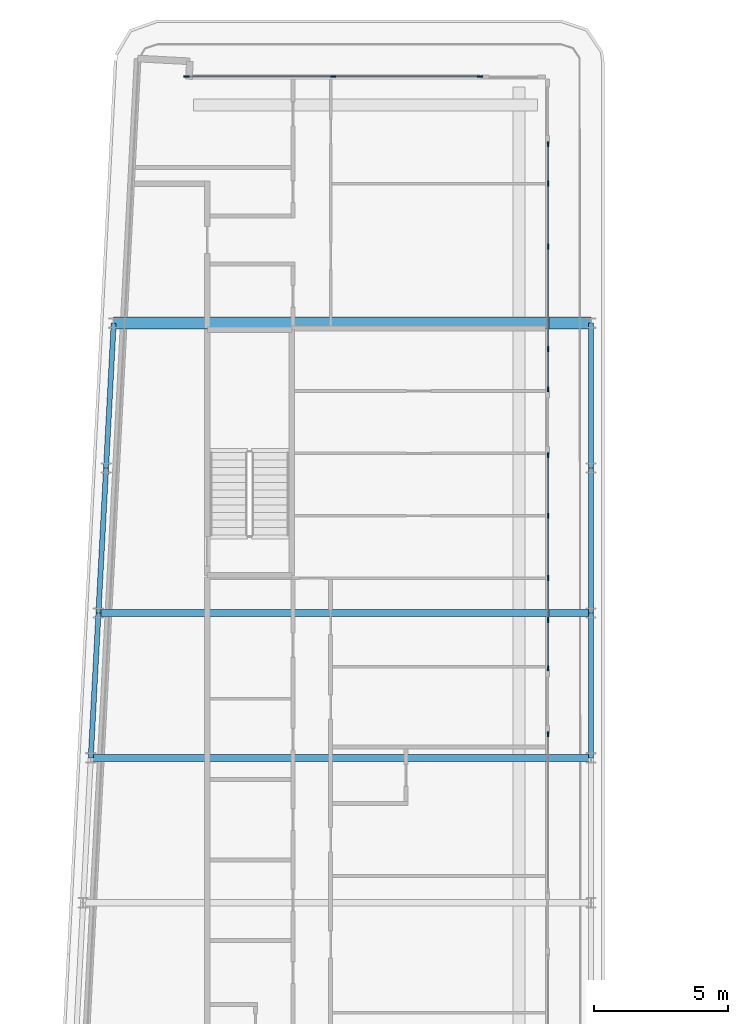
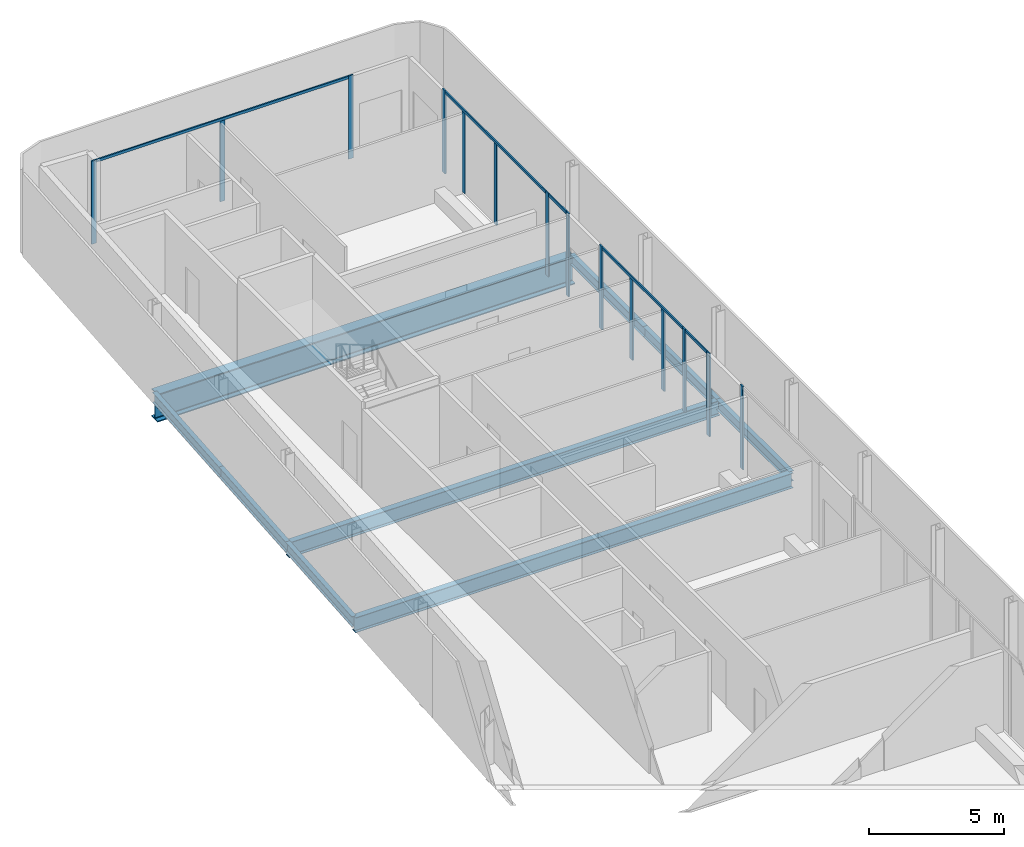
# One storey, part 6 of 18: 19 members, 9 beams, 6 elements without a shape of their own.
"""IFC4 building model written with IfcOpenShell, lengths in metres."""

from ifc_helpers import new_model, si_unit, direction, frame, origin, origin_2d, place, context, subcontext, project, spatial, rectangle, i_section, extrude, material, layer, layer_set, material_profile, profile_set, type_object, element, aggregate, save


model = new_model("IFC4")

# Units and contexts
model_context = context("Model", 3, precision=1e-05, world=origin(), true_north=direction((0.0, 1.0)))
body_context = subcontext(model_context, "Body", "Model", "MODEL_VIEW")
ifc_project = project(units=[si_unit("LENGTHUNIT", "METRE"), si_unit("AREAUNIT", "SQUARE_METRE"), si_unit("VOLUMEUNIT", "CUBIC_METRE"), si_unit("PLANEANGLEUNIT", "RADIAN"), si_unit("MASSUNIT", "GRAM", prefix="KILO")], contexts=[model_context])

# Site, building, storey
site_placement = place(None, origin())
site = spatial("IfcSite", under=ifc_project, at=site_placement, CompositionType="ELEMENT")
building_placement = place(site_placement, origin())
building = spatial("IfcBuilding", under=site, at=building_placement, Name="Kheshtan School and Residences Tower", CompositionType="ELEMENT")
storey_placement = place(building_placement, frame((0.0, 0.0, 381.199951171875)))
storey = spatial("IfcBuildingStorey", under=building, at=storey_placement, Name="L90", CompositionType="ELEMENT", Elevation=381.199951171875)

# Beams
ifc_material_1 = material(Name="Steel ASTM A992 Grade 50", Category="steel")
ifc_material_profile_1 = material_profile(ifc_material_1, i_section(OverallWidth=0.2529296875, OverallDepth=0.677978515625, WebThickness=0.01171875, FlangeThickness=0.016357421875, FilletRadius=0.0146484375, at=origin_2d()), Name="W690x125")
ifc_profile_set_1 = profile_set([ifc_material_profile_1], Name="Steel ASTM A992 Grade 50")
beam_type_1 = type_object("IfcBeamType", Name="Beam FB6 W690x125 ASTM A992 Grade 50", PredefinedType="BEAM", material=ifc_profile_set_1)
beam_1_placement = place(storey_placement, frame((47.60009765625, 78.0, -0.489013671875), z_axis=(-1.0, 0.0, 0.0), x_axis=(0.0, -1.0, 0.0)))
element("IfcBeam", 1, at=beam_1_placement, inside=storey, type_object=beam_type_1, Name="Floor beam C089", PredefinedType="BEAM", context=body_context, shape_type="SweptSolid", body=[
    extrude(i_section(OverallWidth=0.2529296875, OverallDepth=0.677978515625, WebThickness=0.01171875, FlangeThickness=0.016357421875, FilletRadius=0.0146484375, at=origin_2d()), origin(), (0.0, 0.0, 1.0), 18.357177734375),
])
beam_2_placement = place(storey_placement, frame((28.9580078125, 72.60009765625, -0.489013671875), z_axis=(1.0, 0.0, 0.0), x_axis=(0.0, 1.0, 0.0)))
element("IfcBeam", 2, at=beam_2_placement, inside=storey, type_object=beam_type_1, Name="Floor beam C086", PredefinedType="BEAM", context=body_context, shape_type="SweptSolid", body=[
    extrude(i_section(OverallWidth=0.2529296875, OverallDepth=0.677978515625, WebThickness=0.01171875, FlangeThickness=0.016357421875, FilletRadius=0.0146484375, at=origin_2d()), origin(), (0.0, 0.0, 1.0), 18.64208984375),
])
ifc_material_profile_2 = material_profile(ifc_material_1, i_section(OverallWidth=0.18994140625, OverallDepth=0.45703125, WebThickness=0.009033203125, FlangeThickness=0.014404296875, FilletRadius=0.01318359375, at=origin_2d()), Name="W460x74")
ifc_profile_set_2 = profile_set([ifc_material_profile_2], Name="Steel ASTM A992 Grade 50")
beam_type_2 = type_object("IfcBeamType", Name="Beam SP4 W460x74 ASTM A992 Grade 50", PredefinedType="BEAM", material=ifc_profile_set_2)
beam_3_placement = place(storey_placement, frame((47.60009765625, 88.800048828125, -0.37841796875), z_axis=(0.0, -1.0, 0.0), x_axis=(1.0, 0.0, 0.0)))
element("IfcBeam", 3, at=beam_3_placement, inside=storey, type_object=beam_type_2, Name="Spandrel beam C099-C091", PredefinedType="BEAM", context=body_context, shape_type="SweptSolid", body=[
    extrude(i_section(OverallWidth=0.18994140625, OverallDepth=0.45703125, WebThickness=0.009033203125, FlangeThickness=0.014404296875, FilletRadius=0.01318359375, at=origin_2d()), origin(), (0.0, 0.0, 1.0), 5.400146484375),
])
for number, where, z_axis, x_axis, name in (
    (4, (47.60009765625, 83.39990234375, -0.37841796875), (0.0, -1.0, 0.0), (1.0, 0.0, 0.0), "Spandrel beam C091-C089"),
    (5, (47.60009765625, 78.0, -0.37841796875), (0.0, -1.0, 0.0), (1.0, 0.0, 0.0), "Spandrel beam C089-C087"),
):
    element("IfcBeam", number, at=place(storey_placement, frame(where, z_axis=z_axis, x_axis=x_axis)), inside=storey, type_object=beam_type_2, Name=name, PredefinedType="BEAM", context=body_context, shape_type="SweptSolid", body=[
        extrude(i_section(OverallWidth=0.18994140625, OverallDepth=0.45703125, WebThickness=0.009033203125, FlangeThickness=0.014404296875, FilletRadius=0.01318359375, at=origin_2d()), origin(), (0.0, 0.0, 1.0), 5.39990234375),
    ])
for number, where, z_axis, x_axis, name in (
    (6, (28.9580078125, 72.60009765625, -0.37841796875), (0.052689166816, 0.998610961136, 0.0), (-0.998610961136, 0.052689166816, 0.0), "Spandrel beam C086-C088"),
    (7, (29.242919921875, 78.0, -0.37841796875), (0.052554093665, 0.998618078766, 0.0), (-0.998618078766, 0.052554093665, 0.0), "Spandrel beam C088-C090"),
):
    element("IfcBeam", number, at=place(storey_placement, frame(where, z_axis=z_axis, x_axis=x_axis)), inside=storey, type_object=beam_type_2, Name=name, PredefinedType="BEAM", context=body_context, shape_type="SweptSolid", body=[
        extrude(i_section(OverallWidth=0.18994140625, OverallDepth=0.45703125, WebThickness=0.009033203125, FlangeThickness=0.014404296875, FilletRadius=0.01318359375, at=origin_2d()), origin(), (0.0, 0.0, 1.0), 5.407470703125),
    ])
beam_4_placement = place(storey_placement, frame((29.527099609375, 83.39990234375, -0.37841796875), z_axis=(0.05250670125, 0.998620571751, 0.0), x_axis=(-0.998620571751, 0.05250670125, 0.0)))
element("IfcBeam", 8, at=beam_4_placement, inside=storey, type_object=beam_type_2, Name="Spandrel beam C090-C098", PredefinedType="BEAM", context=body_context, shape_type="SweptSolid", body=[
    extrude(i_section(OverallWidth=0.18994140625, OverallDepth=0.45703125, WebThickness=0.009033203125, FlangeThickness=0.014404296875, FilletRadius=0.01318359375, at=origin_2d()), origin(), (0.0, 0.0, 1.0), 5.40771484375),
])

# Curtain wall, members
ifc_material_2 = material(Name="Clear low-e glass in thermally broken aluminium frame", Category="aluminium")
ifc_layer = layer(ifc_material_2, 0.199951171875)
ifc_layer_set = layer_set([ifc_layer], Name="Curtain wall CW-L")
curtain_wall_type = type_object("IfcCurtainWallType", Name="Curtain wall CW-L", PredefinedType="NOTDEFINED", material=ifc_layer_set)
curtain_wall_1_placement = place(storey_placement, origin())
curtain_wall_1 = element("IfcCurtainWall", 9, at=curtain_wall_1_placement, inside=storey, type_object=curtain_wall_type, Name="Curtain wall CWL7", PredefinedType="NOTDEFINED")
ifc_material_3 = material(Name="Thermally broken aluminium, dark bronze anodised", Category="aluminium")
ifc_material_profile_3 = material_profile(ifc_material_3, rectangle(XDim=0.06005859375, YDim=0.199951171875, at=origin_2d()), Name="CW-L mullion 60x200")
ifc_profile_set_3 = profile_set([ifc_material_profile_3], Name="Thermally broken aluminium, dark bronze anodised")
member_type_1 = type_object("IfcMemberType", Name="CW-L mullion 60x200", PredefinedType="MULLION", material=ifc_profile_set_3)
member_1_placement = place(storey_placement, frame((32.52197265625, 98.0, 0.0), z_axis=(0.0, 0.0, 1.0), x_axis=(0.0, 1.0, 0.0)))
member_1 = element("IfcMember", 10, at=member_1_placement, type_object=member_type_1, Name="CWL7 mullion 1", PredefinedType="MULLION", context=body_context, shape_type="SweptSolid", body=[
    extrude(rectangle(XDim=0.06005859375, YDim=0.199951171875, at=origin_2d()), origin(), (0.0, 0.0, 1.0), 3.75),
])
member_2_placement = place(storey_placement, frame((37.99609375, 98.0, 0.0), z_axis=(0.0, 0.0, 1.0), x_axis=(0.0, 1.0, 0.0)))
member_2 = element("IfcMember", 11, at=member_2_placement, type_object=member_type_1, Name="CWL7 mullion 2", PredefinedType="MULLION", context=body_context, shape_type="SweptSolid", body=[
    extrude(rectangle(XDim=0.06005859375, YDim=0.199951171875, at=origin_2d()), origin(), (0.0, 0.0, 1.0), 3.630126953125),
])
member_3_placement = place(storey_placement, frame((43.469970703125, 98.0, 0.0), z_axis=(0.0, 0.0, 1.0), x_axis=(0.0, 1.0, 0.0)))
member_3 = element("IfcMember", 12, at=member_3_placement, type_object=member_type_1, Name="CWL7 mullion 3", PredefinedType="MULLION", context=body_context, shape_type="SweptSolid", body=[
    extrude(rectangle(XDim=0.06005859375, YDim=0.199951171875, at=origin_2d()), origin(), (0.0, 0.0, 1.0), 3.75),
])

curtain_wall_2_placement = place(storey_placement, origin())
curtain_wall_2 = element("IfcCurtainWall", 13, at=curtain_wall_2_placement, inside=storey, type_object=curtain_wall_type, Name="Curtain wall CWL8c", PredefinedType="NOTDEFINED")
member_4_placement = place(storey_placement, frame((46.0, 95.469970703125, 0.0), z_axis=(0.0, 0.0, 1.0), x_axis=(1.0, 0.0, 0.0)))
member_4 = element("IfcMember", 14, at=member_4_placement, type_object=member_type_1, Name="CWL8c mullion 1", PredefinedType="MULLION", context=body_context, shape_type="SweptSolid", body=[
    extrude(rectangle(XDim=0.06005859375, YDim=0.199951171875, at=origin_2d()), origin(), (0.0, 0.0, 1.0), 3.75),
])
member_5_placement = place(storey_placement, frame((46.0, 94.0, 0.0), z_axis=(0.0, 0.0, 1.0), x_axis=(1.0, 0.0, 0.0)))
member_5 = element("IfcMember", 15, at=member_5_placement, type_object=member_type_1, Name="CWL8c mullion 2", PredefinedType="MULLION", context=body_context, shape_type="SweptSolid", body=[
    extrude(rectangle(XDim=0.06005859375, YDim=0.199951171875, at=origin_2d()), origin(), (0.0, 0.0, 1.0), 3.630126953125),
])
member_6_placement = place(storey_placement, frame((46.0, 91.653076171875, 0.0), z_axis=(0.0, 0.0, 1.0), x_axis=(1.0, 0.0, 0.0)))
member_6 = element("IfcMember", 16, at=member_6_placement, type_object=member_type_1, Name="CWL8c mullion 3", PredefinedType="MULLION", context=body_context, shape_type="SweptSolid", body=[
    extrude(rectangle(XDim=0.06005859375, YDim=0.199951171875, at=origin_2d()), origin(), (0.0, 0.0, 1.0), 3.630126953125),
])
member_7_placement = place(storey_placement, frame((46.0, 87.8359375, 0.0), z_axis=(0.0, 0.0, 1.0), x_axis=(1.0, 0.0, 0.0)))
member_7 = element("IfcMember", 17, at=member_7_placement, type_object=member_type_1, Name="CWL8c mullion 4", PredefinedType="MULLION", context=body_context, shape_type="SweptSolid", body=[
    extrude(rectangle(XDim=0.06005859375, YDim=0.199951171875, at=origin_2d()), origin(), (0.0, 0.0, 1.0), 3.75),
])

# Curtain wall, member
curtain_wall_3_placement = place(storey_placement, origin())
curtain_wall_3 = element("IfcCurtainWall", 18, at=curtain_wall_3_placement, inside=storey, type_object=curtain_wall_type, Name="Curtain wall CWL8a", PredefinedType="NOTDEFINED")
member_8_placement = place(storey_placement, frame((46.0, 86.3359375, 0.0), z_axis=(0.0, 0.0, 1.0), x_axis=(1.0, 0.0, 0.0)))
member_8 = element("IfcMember", 19, at=member_8_placement, type_object=member_type_1, Name="CWL8a mullion 2", PredefinedType="MULLION", context=body_context, shape_type="SweptSolid", body=[
    extrude(rectangle(XDim=0.06005859375, YDim=0.199951171875, at=origin_2d()), origin(), (0.0, 0.0, 1.0), 3.75),
])

# Curtain wall, members
curtain_wall_4_placement = place(storey_placement, origin())
curtain_wall_4 = element("IfcCurtainWall", 20, at=curtain_wall_4_placement, inside=storey, type_object=curtain_wall_type, Name="Curtain wall CWL8b", PredefinedType="NOTDEFINED")
member_9_placement = place(storey_placement, frame((46.0, 83.8759765625, 0.0), z_axis=(0.0, 0.0, 1.0), x_axis=(1.0, 0.0, 0.0)))
member_9 = element("IfcMember", 21, at=member_9_placement, type_object=member_type_1, Name="CWL8b mullion 1", PredefinedType="MULLION", context=body_context, shape_type="SweptSolid", body=[
    extrude(rectangle(XDim=0.06005859375, YDim=0.199951171875, at=origin_2d()), origin(), (0.0, 0.0, 1.0), 3.75),
])
member_10_placement = place(storey_placement, frame((46.0, 81.625, 0.0), z_axis=(0.0, 0.0, 1.0), x_axis=(1.0, 0.0, 0.0)))
member_10 = element("IfcMember", 22, at=member_10_placement, type_object=member_type_1, Name="CWL8b mullion 2", PredefinedType="MULLION", context=body_context, shape_type="SweptSolid", body=[
    extrude(rectangle(XDim=0.06005859375, YDim=0.199951171875, at=origin_2d()), origin(), (0.0, 0.0, 1.0), 3.630126953125),
])
member_11_placement = place(storey_placement, frame((46.0, 79.300048828125, 0.0), z_axis=(0.0, 0.0, 1.0), x_axis=(1.0, 0.0, 0.0)))
member_11 = element("IfcMember", 23, at=member_11_placement, type_object=member_type_1, Name="CWL8b mullion 3", PredefinedType="MULLION", context=body_context, shape_type="SweptSolid", body=[
    extrude(rectangle(XDim=0.06005859375, YDim=0.199951171875, at=origin_2d()), origin(), (0.0, 0.0, 1.0), 3.630126953125),
])
member_12_placement = place(storey_placement, frame((46.0, 77.741943359375, 0.0), z_axis=(0.0, 0.0, 1.0), x_axis=(1.0, 0.0, 0.0)))
member_12 = element("IfcMember", 24, at=member_12_placement, type_object=member_type_1, Name="CWL8b mullion 4", PredefinedType="MULLION", context=body_context, shape_type="SweptSolid", body=[
    extrude(rectangle(XDim=0.06005859375, YDim=0.199951171875, at=origin_2d()), origin(), (0.0, 0.0, 1.0), 3.75),
])

# Curtain wall, member
curtain_wall_5_placement = place(storey_placement, origin())
curtain_wall_5 = element("IfcCurtainWall", 25, at=curtain_wall_5_placement, inside=storey, type_object=curtain_wall_type, Name="Curtain wall CWL8e", PredefinedType="NOTDEFINED")
member_13_placement = place(storey_placement, frame((46.0, 75.94189453125, 0.0), z_axis=(0.0, 0.0, 1.0), x_axis=(1.0, 0.0, 0.0)))
member_13 = element("IfcMember", 26, at=member_13_placement, type_object=member_type_1, Name="CWL8e mullion 2", PredefinedType="MULLION", context=body_context, shape_type="SweptSolid", body=[
    extrude(rectangle(XDim=0.06005859375, YDim=0.199951171875, at=origin_2d()), origin(), (0.0, 0.0, 1.0), 3.75),
])

curtain_wall_6_placement = place(storey_placement, origin())
curtain_wall_6 = element("IfcCurtainWall", 27, at=curtain_wall_6_placement, inside=storey, type_object=curtain_wall_type, Name="Curtain wall CWL8f", PredefinedType="NOTDEFINED")
member_14_placement = place(storey_placement, frame((46.0, 73.48193359375, 0.0), z_axis=(0.0, 0.0, 1.0), x_axis=(1.0, 0.0, 0.0)))
member_14 = element("IfcMember", 28, at=member_14_placement, type_object=member_type_1, Name="CWL8f mullion 1", PredefinedType="MULLION", context=body_context, shape_type="SweptSolid", body=[
    extrude(rectangle(XDim=0.06005859375, YDim=0.199951171875, at=origin_2d()), origin(), (0.0, 0.0, 1.0), 3.75),
])
aggregate(curtain_wall_6, [member_14])

# Member
ifc_material_profile_4 = material_profile(ifc_material_3, rectangle(XDim=0.06005859375, YDim=0.1201171875, at=origin_2d()), Name="CW-L transom 60x120")
ifc_profile_set_4 = profile_set([ifc_material_profile_4], Name="Thermally broken aluminium, dark bronze anodised")
member_type_2 = type_object("IfcMemberType", Name="CW-L transom 60x120", PredefinedType="USERDEFINED", material=ifc_profile_set_4)
member_15_placement = place(storey_placement, frame((32.552001953125, 98.0, 3.68994140625), z_axis=(1.0, 0.0, 0.0), x_axis=(0.0, 1.0, 0.0)))
member_15 = element("IfcMember", 29, at=member_15_placement, type_object=member_type_2, Name="CWL7 transom 1", ObjectType="TRANSOM", PredefinedType="USERDEFINED", context=body_context, shape_type="SweptSolid", body=[
    extrude(rectangle(XDim=0.06005859375, YDim=0.1201171875, at=origin_2d()), origin(), (0.0, 0.0, 1.0), 10.887939453125),
])

aggregate(curtain_wall_1, [member_1, member_2, member_3, member_15])

member_16_placement = place(storey_placement, frame((46.0, 95.43994140625, 3.68994140625), z_axis=(0.0, -1.0, 0.0), x_axis=(1.0, 0.0, 0.0)))
member_16 = element("IfcMember", 30, at=member_16_placement, type_object=member_type_2, Name="CWL8c transom 1", ObjectType="TRANSOM", PredefinedType="USERDEFINED", context=body_context, shape_type="SweptSolid", body=[
    extrude(rectangle(XDim=0.06005859375, YDim=0.1201171875, at=origin_2d()), origin(), (0.0, 0.0, 1.0), 7.573974609375),
])

aggregate(curtain_wall_2, [member_4, member_5, member_6, member_7, member_16])

member_17_placement = place(storey_placement, frame((46.0, 87.805908203125, 3.68994140625), z_axis=(0.0, -1.0, 0.0), x_axis=(1.0, 0.0, 0.0)))
member_17 = element("IfcMember", 31, at=member_17_placement, type_object=member_type_2, Name="CWL8a transom 1", ObjectType="TRANSOM", PredefinedType="USERDEFINED", context=body_context, shape_type="SweptSolid", body=[
    extrude(rectangle(XDim=0.06005859375, YDim=0.1201171875, at=origin_2d()), origin(), (0.0, 0.0, 1.0), 1.43994140625),
])

aggregate(curtain_wall_3, [member_8, member_17])

member_18_placement = place(storey_placement, frame((46.0, 83.845947265625, 3.68994140625), z_axis=(0.0, -1.0, 0.0), x_axis=(1.0, 0.0, 0.0)))
member_18 = element("IfcMember", 32, at=member_18_placement, type_object=member_type_2, Name="CWL8b transom 1", ObjectType="TRANSOM", PredefinedType="USERDEFINED", context=body_context, shape_type="SweptSolid", body=[
    extrude(rectangle(XDim=0.06005859375, YDim=0.1201171875, at=origin_2d()), origin(), (0.0, 0.0, 1.0), 6.073974609375),
])

aggregate(curtain_wall_4, [member_9, member_10, member_11, member_12, member_18])

member_19_placement = place(storey_placement, frame((46.0, 77.7119140625, 3.68994140625), z_axis=(0.0, -1.0, 0.0), x_axis=(1.0, 0.0, 0.0)))
member_19 = element("IfcMember", 33, at=member_19_placement, type_object=member_type_2, Name="CWL8e transom 1", ObjectType="TRANSOM", PredefinedType="USERDEFINED", context=body_context, shape_type="SweptSolid", body=[
    extrude(rectangle(XDim=0.06005859375, YDim=0.1201171875, at=origin_2d()), origin(), (0.0, 0.0, 1.0), 1.739990234375),
])

aggregate(curtain_wall_5, [member_13, member_19])

# Beam
ifc_material_profile_5 = material_profile(ifc_material_1, i_section(OverallWidth=0.449951171875, OverallDepth=1.25, WebThickness=0.02490234375, FlangeThickness=0.044921875, FilletRadius=0.03759765625, at=origin_2d()), Name="WWF1250x546")
ifc_profile_set_5 = profile_set([ifc_material_profile_5], Name="Steel ASTM A992 Grade 50")
beam_type_3 = type_object("IfcBeamType", Name="Transfer girder TG4 WWF1250x546 ASTM A992 Grade 50", PredefinedType="BEAM", material=ifc_profile_set_5)
beam_5_placement = place(storey_placement, frame((29.81103515625, 88.800048828125, -0.77490234375), z_axis=(1.0, 0.0, 0.0), x_axis=(0.0, 1.0, 0.0)))
element("IfcBeam", 34, at=beam_5_placement, inside=storey, type_object=beam_type_3, Name="Transfer girder C098-C099", PredefinedType="BEAM", context=body_context, shape_type="SweptSolid", body=[
    extrude(i_section(OverallWidth=0.449951171875, OverallDepth=1.25, WebThickness=0.02490234375, FlangeThickness=0.044921875, FilletRadius=0.03759765625, at=origin_2d()), origin(), (0.0, 0.0, 1.0), 17.7890625),
])

save(model, "model.ifc")
